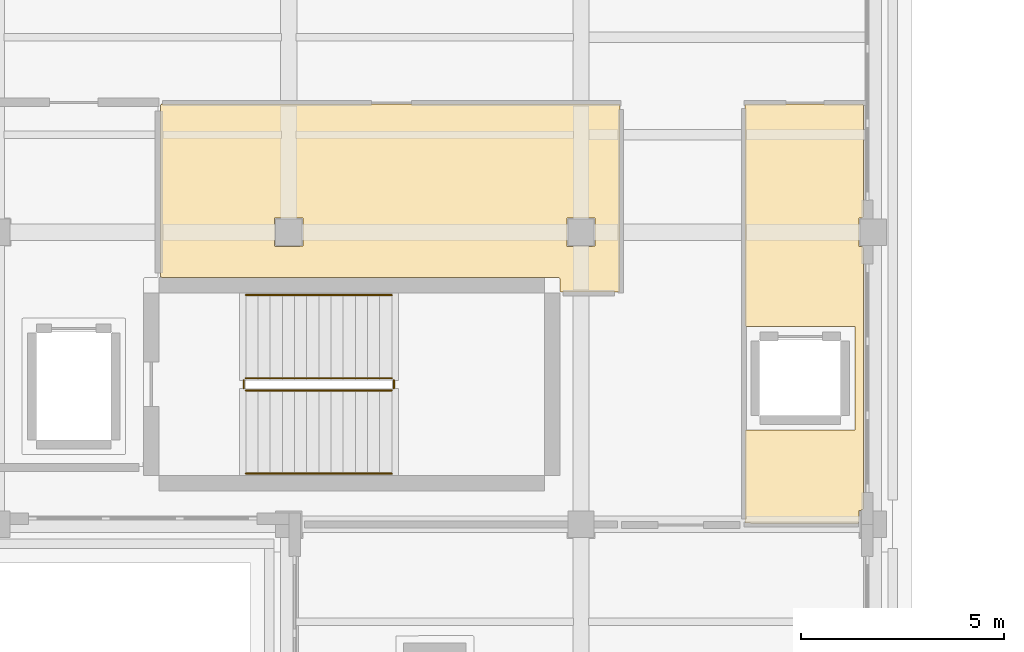
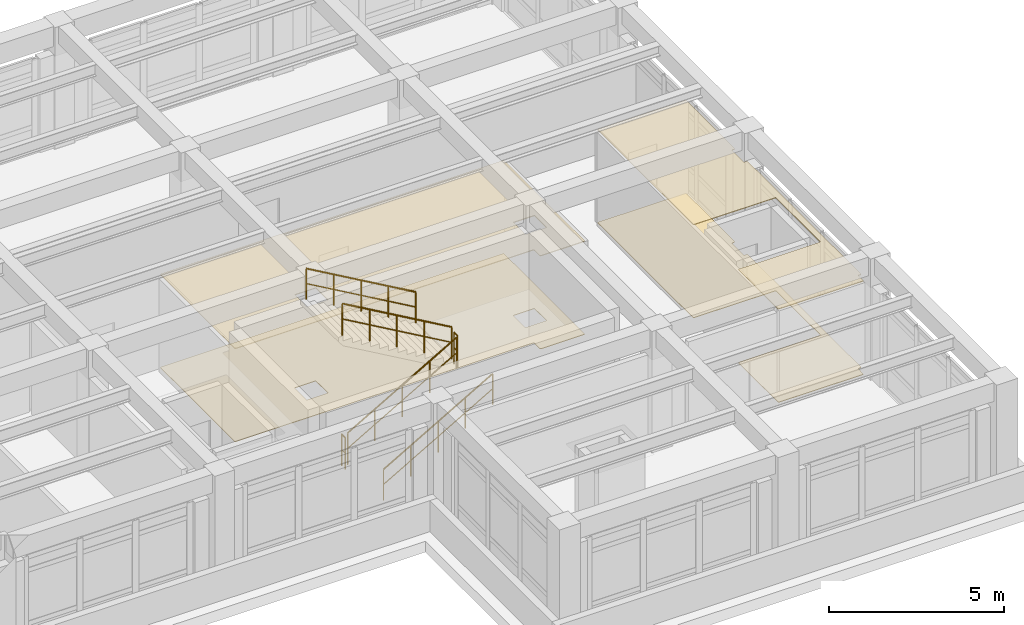
# One storey, part 54 of 55: 6 railings, 4 coverings.
"""IFC4 building model written with IfcOpenShell, lengths in metres."""

from ifc_helpers import new_model, si_unit, direction, frame, origin, origin_2d, place, context, subcontext, project, spatial, polyline, circle, outline, extrude, material, layer, layer_set, type_object, element, save


model = new_model("IFC4")

# Units and contexts
model_context = context("Model", 3, precision=1e-05, world=origin(), true_north=direction((0.0, 1.0)))
body_context = subcontext(model_context, "Body", "Model", "MODEL_VIEW")
ifc_project = project(units=[si_unit("LENGTHUNIT", "METRE"), si_unit("AREAUNIT", "SQUARE_METRE"), si_unit("VOLUMEUNIT", "CUBIC_METRE"), si_unit("PLANEANGLEUNIT", "RADIAN"), si_unit("MASSUNIT", "GRAM", prefix="KILO")], contexts=[model_context])

# Site, building, storey
site_placement = place(None, origin())
site = spatial("IfcSite", under=ifc_project, at=site_placement, CompositionType="ELEMENT")
building_placement = place(site_placement, origin())
building = spatial("IfcBuilding", under=site, at=building_placement, Name="Solenvale Faculty of Natural Sciences", CompositionType="ELEMENT")
storey_placement = place(building_placement, frame((0.0, 0.0, 22.5)))
storey = spatial("IfcBuildingStorey", under=building, at=storey_placement, Name="L05", CompositionType="ELEMENT", Elevation=22.5)

# Coverings
ifc_material_1 = material(Name="Acoustic mineral-timber ceiling", Category="wood")
ifc_layer_1 = layer(ifc_material_1, 0.02490234375)
ifc_layer_set_1 = layer_set([ifc_layer_1], Name="Acoustic mineral-timber ceiling")
covering_type_1 = type_object("IfcCoveringType", Name="COV-CEIL-AC25", PredefinedType="CEILING", material=ifc_layer_set_1)
covering_1_placement = place(storey_placement, frame((0.0, 0.0, 3.235107421875)))
element("IfcCovering", 1, at=covering_1_placement, inside=storey, type_object=covering_type_1, Name="L05 Building Electrical and Telecom Closet Acoustic Ceiling", PredefinedType="CEILING", context=body_context, shape_type="SweptSolid", body=[
    extrude(outline(polyline([(144.929931640625, 103.9599609375), (144.950927734375, 103.950927734375), (144.9599609375, 103.929931640625), (144.9599609375, 99.35009765625), (144.94091796875, 99.322021484375), (143.50390625, 99.321044921875), (143.47998046875, 99.346923828125), (143.47998046875, 99.654052734375), (143.450927734375, 99.679931640625), (133.669921875, 99.679931640625), (133.64208984375, 99.698974609375), (133.639892578125, 103.929931640625), (133.658935546875, 103.9580078125), (144.929931640625, 103.9599609375)]), holes=[polyline([(143.64990234375, 100.4609375), (143.660888671875, 100.449951171875), (144.346923828125, 100.452880859375), (144.346923828125, 101.14697265625), (143.653076171875, 101.14697265625), (143.64990234375, 100.4609375)]), polyline([(136.449951171875, 100.4609375), (136.4609375, 100.449951171875), (137.14697265625, 100.452880859375), (137.14697265625, 101.14697265625), (136.452880859375, 101.14697265625), (136.449951171875, 100.4609375)])]), origin(), (0.0, 0.0, 1.0), 0.02490234375),
])
covering_2_placement = place(storey_placement, frame((0.0, 0.0, 3.235107421875)))
element("IfcCovering", 2, at=covering_2_placement, inside=storey, type_object=covering_type_1, Name="L05 Elevator Lobby Acoustic Ceiling", PredefinedType="CEILING", context=body_context, shape_type="SweptSolid", body=[
    extrude(outline(polyline([(148.0400390625, 95.889892578125), (148.049072265625, 95.910888671875), (148.070068359375, 95.919921875), (150.72509765625, 95.919921875), (150.7470703125, 95.929931640625), (150.7548828125, 95.949951171875), (150.7548828125, 98.449951171875), (150.7451171875, 98.471923828125), (148.070068359375, 98.47998046875), (148.041015625, 98.5009765625), (148.0419921875, 103.94091796875), (148.070068359375, 103.9599609375), (150.94091796875, 103.9580078125), (150.9599609375, 103.929931640625), (150.9599609375, 101.179931640625), (150.93896484375, 101.15087890625), (150.85009765625, 101.14208984375), (150.85009765625, 100.4609375), (150.85888671875, 100.449951171875), (150.94091796875, 100.447998046875), (150.9599609375, 100.419921875), (150.9599609375, 93.97998046875), (150.93896484375, 93.950927734375), (150.85009765625, 93.943115234375), (150.843017578125, 93.631103515625), (150.820068359375, 93.6201171875), (148.051025390625, 93.626953125), (148.0400390625, 93.64990234375), (148.0400390625, 95.889892578125)])), origin(), (0.0, 0.0, 1.0), 0.02490234375),
])
ifc_material_2 = material(Name="Polished slate terrazzo flooring", Category="masonry")
ifc_layer_2 = layer(ifc_material_2, 0.01806640625)
ifc_layer_set_2 = layer_set([ifc_layer_2], Name="Polished slate terrazzo flooring")
covering_type_2 = type_object("IfcCoveringType", Name="COV-FLR-TRZ18", PredefinedType="FLOORING", material=ifc_layer_set_2)
covering_3_placement = place(storey_placement, origin())
element("IfcCovering", 3, at=covering_3_placement, inside=storey, type_object=covering_type_2, Name="L05 Building Electrical and Telecom Closet Floor Finish", PredefinedType="FLOORING", context=body_context, shape_type="SweptSolid", body=[
    extrude(outline(polyline([(144.929931640625, 103.9599609375), (144.950927734375, 103.950927734375), (144.9599609375, 103.929931640625), (144.9599609375, 99.35009765625), (144.94091796875, 99.322021484375), (143.50390625, 99.321044921875), (143.47998046875, 99.346923828125), (143.47998046875, 99.654052734375), (143.450927734375, 99.679931640625), (133.669921875, 99.679931640625), (133.64208984375, 99.698974609375), (133.639892578125, 103.929931640625), (133.658935546875, 103.9580078125), (144.929931640625, 103.9599609375)]), holes=[polyline([(143.64990234375, 100.4609375), (143.660888671875, 100.449951171875), (144.346923828125, 100.452880859375), (144.346923828125, 101.14697265625), (143.653076171875, 101.14697265625), (143.64990234375, 100.4609375)]), polyline([(136.449951171875, 100.4609375), (136.4609375, 100.449951171875), (137.14697265625, 100.452880859375), (137.14697265625, 101.14697265625), (136.452880859375, 101.14697265625), (136.449951171875, 100.4609375)])]), origin(), (0.0, 0.0, 1.0), 0.01806640625),
])
covering_4_placement = place(storey_placement, origin())
element("IfcCovering", 4, at=covering_4_placement, inside=storey, type_object=covering_type_2, Name="L05 Elevator Lobby Floor Finish", PredefinedType="FLOORING", context=body_context, shape_type="SweptSolid", body=[
    extrude(outline(polyline([(148.0400390625, 95.889892578125), (148.049072265625, 95.910888671875), (148.070068359375, 95.919921875), (150.72509765625, 95.919921875), (150.7470703125, 95.929931640625), (150.7548828125, 95.949951171875), (150.7548828125, 98.449951171875), (150.7451171875, 98.471923828125), (148.070068359375, 98.47998046875), (148.041015625, 98.5009765625), (148.0419921875, 103.94091796875), (148.070068359375, 103.9599609375), (150.94091796875, 103.9580078125), (150.9599609375, 103.929931640625), (150.9599609375, 101.179931640625), (150.93896484375, 101.15087890625), (150.85009765625, 101.14208984375), (150.85009765625, 100.4609375), (150.85888671875, 100.449951171875), (150.94091796875, 100.447998046875), (150.9599609375, 100.419921875), (150.9599609375, 93.97998046875), (150.93896484375, 93.950927734375), (150.85009765625, 93.943115234375), (150.843017578125, 93.631103515625), (150.820068359375, 93.6201171875), (148.051025390625, 93.626953125), (148.0400390625, 93.64990234375), (148.0400390625, 95.889892578125)])), origin(), (0.0, 0.0, 1.0), 0.01806640625),
])

# Railings
ifc_material_3 = material(Name="Stainless steel Grade 304", Category="steel")
railing_type_1 = type_object("IfcRailingType", Name="RL-GRD-1100", PredefinedType="GUARDRAIL", material=ifc_material_3)
railing_1_placement = place(storey_placement, frame((135.739990234375, 96.89990234375, 0.173095703125)))
element("IfcRailing", 5, at=railing_1_placement, inside=storey, type_object=railing_type_1, Name="L05 ST-05 stair guard 1", PredefinedType="GUARDRAIL", context=body_context, shape_type="SweptSolid", body=[
    extrude(circle(Radius=0.02392578125, at=origin_2d()), frame((0.0, 0.0, 1.09619140625), z_axis=(0.866193409371, 0.0, 0.499708892819), x_axis=(0.0, 1.0, 0.0)), (0.0, 0.0, 1.0), 4.15625),
    extrude(circle(Radius=0.01611328125, at=origin_2d()), frame((0.0, 0.0, 0.56005859375), z_axis=(0.866193409371, 0.0, 0.499708892819), x_axis=(0.0, 1.0, 0.0)), (0.0, 0.0, 1.0), 4.15625),
    extrude(circle(Radius=0.02099609375, at=origin_2d()), origin(), (0.0, 0.0, 1.0), 1.072021484375),
    extrude(circle(Radius=0.02099609375, at=origin_2d()), frame((0.89990234375, 0.0, 0.519287109375)), (0.0, 0.0, 1.0), 1.072021484375),
    extrude(circle(Radius=0.02099609375, at=origin_2d()), frame((1.800048828125, 0.0, 1.03857421875)), (0.0, 0.0, 1.0), 1.072021484375),
    extrude(circle(Radius=0.02099609375, at=origin_2d()), frame((2.7001953125, 0.0, 1.5576171875)), (0.0, 0.0, 1.0), 1.072021484375),
    extrude(circle(Radius=0.02099609375, at=origin_2d()), frame((3.60009765625, 0.0, 2.076904296875)), (0.0, 0.0, 1.0), 1.072021484375),
])
railing_2_placement = place(storey_placement, frame((139.389892578125, 96.949951171875, 2.25)))
element("IfcRailing", 6, at=railing_2_placement, inside=storey, type_object=railing_type_1, Name="L05 ST-05 stair guard 2", PredefinedType="GUARDRAIL", context=body_context, shape_type="SweptSolid", body=[
    extrude(circle(Radius=0.02392578125, at=origin_2d()), frame((0.0, 0.0, 1.09619140625), z_axis=(0.0, 1.0, 0.0), x_axis=(-1.0, 0.0, 0.0)), (0.0, 0.0, 1.0), 0.199951171875),
    extrude(circle(Radius=0.01611328125, at=origin_2d()), frame((0.0, 0.0, 0.56005859375), z_axis=(0.0, 1.0, 0.0), x_axis=(-1.0, 0.0, 0.0)), (0.0, 0.0, 1.0), 0.199951171875),
    extrude(circle(Radius=0.02099609375, at=origin_2d()), origin(), (0.0, 0.0, 1.0), 1.072021484375),
    extrude(circle(Radius=0.02099609375, at=origin_2d()), frame((0.0, 0.199951171875, 0.0)), (0.0, 0.0, 1.0), 1.072021484375),
])
railing_3_placement = place(storey_placement, frame((139.340087890625, 97.199951171875, 2.423095703125)))
element("IfcRailing", 7, at=railing_3_placement, inside=storey, type_object=railing_type_1, Name="L05 ST-05 stair guard 3", PredefinedType="GUARDRAIL", context=body_context, shape_type="SweptSolid", body=[
    extrude(circle(Radius=0.02392578125, at=origin_2d()), frame((0.0, 0.0, 1.09619140625), z_axis=(-0.866193409371, 0.0, 0.499708892819), x_axis=(0.0, -1.0, 0.0)), (0.0, 0.0, 1.0), 4.15625),
    extrude(circle(Radius=0.01611328125, at=origin_2d()), frame((0.0, 0.0, 0.56005859375), z_axis=(-0.866193409371, 0.0, 0.499708892819), x_axis=(0.0, -1.0, 0.0)), (0.0, 0.0, 1.0), 4.15625),
    extrude(circle(Radius=0.02099609375, at=origin_2d()), origin(), (0.0, 0.0, 1.0), 1.072021484375),
    extrude(circle(Radius=0.02099609375, at=origin_2d()), frame((-0.89990234375, 0.0, 0.519287109375)), (0.0, 0.0, 1.0), 1.072021484375),
    extrude(circle(Radius=0.02099609375, at=origin_2d()), frame((-1.800048828125, 0.0, 1.03857421875)), (0.0, 0.0, 1.0), 1.072021484375),
    extrude(circle(Radius=0.02099609375, at=origin_2d()), frame((-2.7001953125, 0.0, 1.5576171875)), (0.0, 0.0, 1.0), 1.072021484375),
    extrude(circle(Radius=0.02099609375, at=origin_2d()), frame((-3.60009765625, 0.0, 2.076904296875)), (0.0, 0.0, 1.0), 1.072021484375),
])
railing_4_placement = place(storey_placement, frame((135.68994140625, 96.949951171875, 0.0)))
element("IfcRailing", 8, at=railing_4_placement, inside=storey, type_object=railing_type_1, Name="L05 ST-05 stair guard 4", PredefinedType="GUARDRAIL", context=body_context, shape_type="SweptSolid", body=[
    extrude(circle(Radius=0.02392578125, at=origin_2d()), frame((0.0, 0.0, 1.09619140625), z_axis=(0.0, 1.0, 0.0), x_axis=(-1.0, 0.0, 0.0)), (0.0, 0.0, 1.0), 0.199951171875),
    extrude(circle(Radius=0.01611328125, at=origin_2d()), frame((0.0, 0.0, 0.56005859375), z_axis=(0.0, 1.0, 0.0), x_axis=(-1.0, 0.0, 0.0)), (0.0, 0.0, 1.0), 0.199951171875),
    extrude(circle(Radius=0.02099609375, at=origin_2d()), origin(), (0.0, 0.0, 1.0), 1.072021484375),
    extrude(circle(Radius=0.02099609375, at=origin_2d()), frame((0.0, 0.199951171875, 0.0)), (0.0, 0.0, 1.0), 1.072021484375),
])
railing_type_2 = type_object("IfcRailingType", Name="RL-HND-900", PredefinedType="HANDRAIL", material=ifc_material_3)
railing_5_placement = place(storey_placement, frame((135.739990234375, 94.85009765625, 0.173095703125)))
element("IfcRailing", 9, at=railing_5_placement, inside=storey, type_object=railing_type_2, Name="L05 ST-05 stair handrail 1", PredefinedType="HANDRAIL", context=body_context, shape_type="SweptSolid", body=[
    extrude(circle(Radius=0.02392578125, at=origin_2d()), frame((0.0, 0.0, 1.0732421875), z_axis=(0.866193409371, 0.0, 0.499708892819), x_axis=(0.0, 1.0, 0.0)), (0.0, 0.0, 1.0), 4.15625),
    extrude(circle(Radius=0.01611328125, at=origin_2d()), frame((0.0, 0.0, 0.548583984375), z_axis=(0.866193409371, 0.0, 0.499708892819), x_axis=(0.0, 1.0, 0.0)), (0.0, 0.0, 1.0), 4.15625),
    extrude(circle(Radius=0.02099609375, at=origin_2d()), origin(), (0.0, 0.0, 1.0), 1.049072265625),
    extrude(circle(Radius=0.02099609375, at=origin_2d()), frame((0.89990234375, 0.0, 0.519287109375)), (0.0, 0.0, 1.0), 1.049072265625),
    extrude(circle(Radius=0.02099609375, at=origin_2d()), frame((1.800048828125, 0.0, 1.03857421875)), (0.0, 0.0, 1.0), 1.049072265625),
    extrude(circle(Radius=0.02099609375, at=origin_2d()), frame((2.7001953125, 0.0, 1.5576171875)), (0.0, 0.0, 1.0), 1.049072265625),
    extrude(circle(Radius=0.02099609375, at=origin_2d()), frame((3.60009765625, 0.0, 2.076904296875)), (0.0, 0.0, 1.0), 1.049072265625),
])
railing_6_placement = place(storey_placement, frame((139.340087890625, 99.25, 2.423095703125)))
element("IfcRailing", 10, at=railing_6_placement, inside=storey, type_object=railing_type_2, Name="L05 ST-05 stair handrail 2", PredefinedType="HANDRAIL", context=body_context, shape_type="SweptSolid", body=[
    extrude(circle(Radius=0.02392578125, at=origin_2d()), frame((0.0, 0.0, 1.0732421875), z_axis=(-0.866193409371, 0.0, 0.499708892819), x_axis=(0.0, -1.0, 0.0)), (0.0, 0.0, 1.0), 4.15625),
    extrude(circle(Radius=0.01611328125, at=origin_2d()), frame((0.0, 0.0, 0.548583984375), z_axis=(-0.866193409371, 0.0, 0.499708892819), x_axis=(0.0, -1.0, 0.0)), (0.0, 0.0, 1.0), 4.15625),
    extrude(circle(Radius=0.02099609375, at=origin_2d()), origin(), (0.0, 0.0, 1.0), 1.049072265625),
    extrude(circle(Radius=0.02099609375, at=origin_2d()), frame((-0.89990234375, 0.0, 0.519287109375)), (0.0, 0.0, 1.0), 1.049072265625),
    extrude(circle(Radius=0.02099609375, at=origin_2d()), frame((-1.800048828125, 0.0, 1.03857421875)), (0.0, 0.0, 1.0), 1.049072265625),
    extrude(circle(Radius=0.02099609375, at=origin_2d()), frame((-2.7001953125, 0.0, 1.5576171875)), (0.0, 0.0, 1.0), 1.049072265625),
    extrude(circle(Radius=0.02099609375, at=origin_2d()), frame((-3.60009765625, 0.0, 2.076904296875)), (0.0, 0.0, 1.0), 1.049072265625),
])

save(model, "model.ifc")
